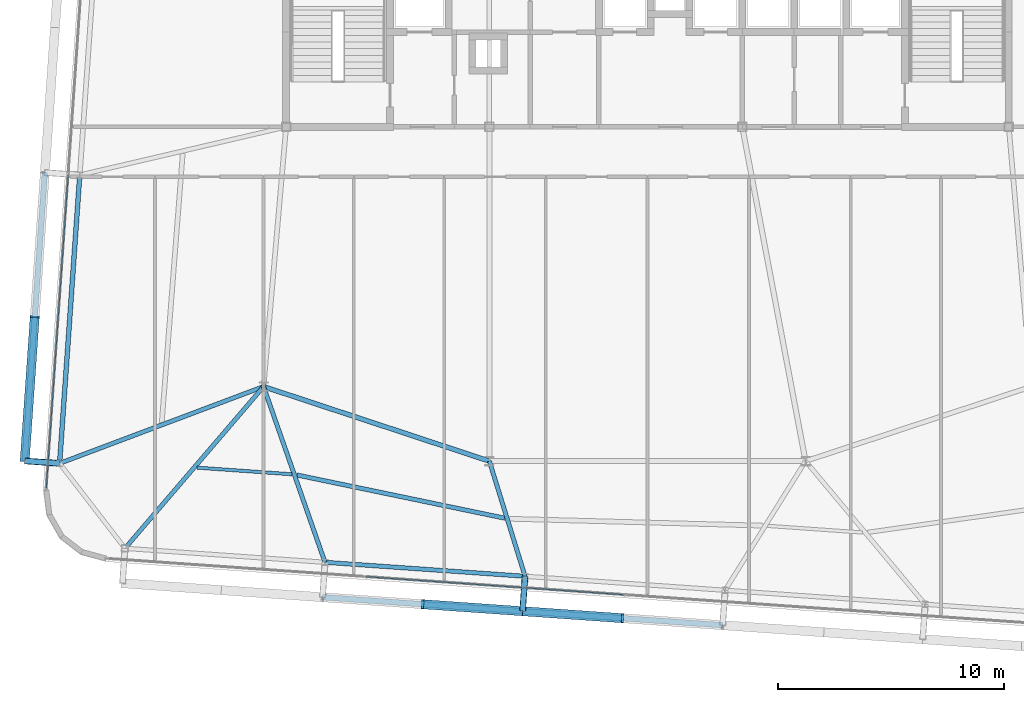
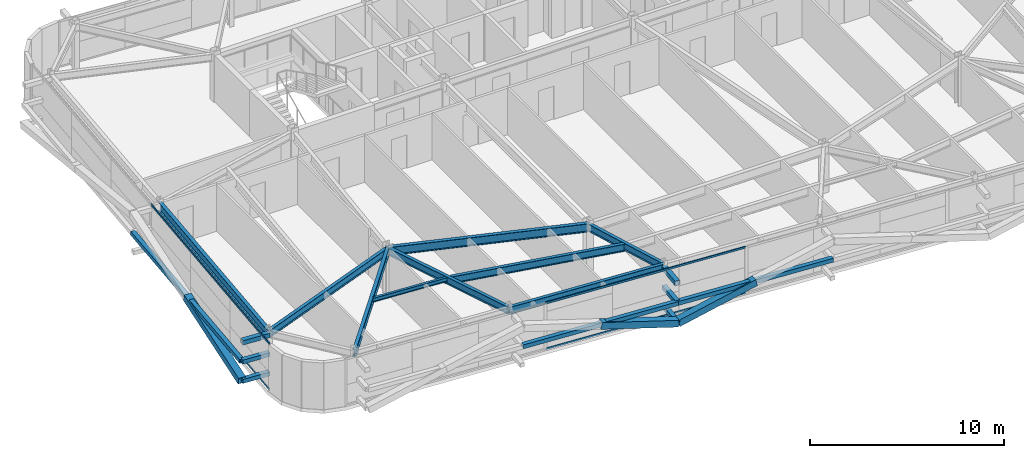
# One storey, part 8 of 39: 16 members, 9 beams, 2 elements without a shape of their own.
"""IFC4 building model written with IfcOpenShell, lengths in metres."""

from ifc_helpers import new_model, si_unit, direction, frame, origin, origin_2d, place, context, subcontext, project, spatial, hollow_rectangle, i_section, extrude, source, transform, mapped, material, layer, layer_set, material_profile, profile_set, type_object, element, aggregate, save


model = new_model("IFC4")

# Units and contexts
model_context = context("Model", 3, precision=1e-05, world=origin(), true_north=direction((0.0, 1.0)))
body_context = subcontext(model_context, "Body", "Model", "MODEL_VIEW")
ifc_project = project(units=[si_unit("LENGTHUNIT", "METRE"), si_unit("AREAUNIT", "SQUARE_METRE"), si_unit("VOLUMEUNIT", "CUBIC_METRE"), si_unit("PLANEANGLEUNIT", "RADIAN"), si_unit("MASSUNIT", "GRAM", prefix="KILO")], contexts=[model_context])

# Site, building, storey
site_placement = place(None, origin())
site = spatial("IfcSite", under=ifc_project, at=site_placement, CompositionType="ELEMENT")
building_placement = place(site_placement, origin())
building = spatial("IfcBuilding", under=site, at=building_placement, Name="Taldren Reach Tower", CompositionType="ELEMENT")
storey_placement = place(building_placement, frame((0.0, 0.0, 158.199951171875)))
storey = spatial("IfcBuildingStorey", under=building, at=storey_placement, Name="L48", CompositionType="ELEMENT", Elevation=158.199951171875)

# Beam
ifc_material_1 = material(Name="Steel Gr 350 (350PLUS)", Category="steel")
ifc_material_profile_1 = material_profile(ifc_material_1, i_section(OverallWidth=0.208984375, OverallDepth=0.532958984375, WebThickness=0.01025390625, FlangeThickness=0.015625, at=origin_2d()), Name="530UB92.4")
ifc_profile_set_1 = profile_set([ifc_material_profile_1], Name="Steel Gr 350 (350PLUS)")
beam_type_1 = type_object("IfcBeamType", Name="BM-UB530A", PredefinedType="BEAM", material=ifc_profile_set_1)
shared_shape_1 = source(origin(), body_context, "Body", "SweptSolid", [
    extrude(i_section(OverallWidth=0.208984375, OverallDepth=0.532958984375, WebThickness=0.01025390625, FlangeThickness=0.015625, at=origin_2d()), origin(), (0.0, 0.0, 1.0), 10.530517578125),
])
beam_1_placement = place(storey_placement, frame((18.0, 12.5, 2.66357421875), z_axis=(0.949627269203, -0.313381635689, 0.0), x_axis=(0.313381635689, 0.949627269203, 0.0)))
element("IfcBeam", 1, at=beam_1_placement, inside=storey, type_object=beam_type_1, Name="Core-spine girder L48-SP10", PredefinedType="BEAM", context=body_context, shape_type="MappedRepresentation", body=[
    mapped(shared_shape_1, transform((0.0, 0.0, 0.0), scale=1.0)),
])

# Members
ifc_material_2 = material(Name="Steel Gr 450 (C450L0)", Category="steel")
ifc_material_profile_2 = material_profile(ifc_material_2, hollow_rectangle(XDim=0.27490234375, YDim=0.27490234375, WallThickness=0.00927734375, at=origin_2d()), Name="275x275x9.3SHS")
ifc_profile_set_2 = profile_set([ifc_material_profile_2], Name="Steel Gr 450 (C450L0)")
member_type_1 = type_object("IfcMemberType", Name="MB-TIE273", PredefinedType="STRUT", material=ifc_profile_set_2)
shared_shape_2 = source(origin(), body_context, "Body", "SweptSolid", [
    extrude(hollow_rectangle(XDim=0.27490234375, YDim=0.27490234375, WallThickness=0.00927734375, at=origin_2d()), origin(), (0.0, 0.0, 1.0), 1.5498046875),
])
member_1_placement = place(storey_placement, frame((8.96875, 9.099609375, 2.650146484375), z_axis=(-0.997573320145, 0.069623781384, 0.0), x_axis=(-0.069623781384, -0.997573320145, 0.0)))
element("IfcMember", 2, at=member_1_placement, inside=storey, type_object=member_type_1, Name="Exoskeleton diaphragm tie strut B3-W1 L48", PredefinedType="STRUT", context=body_context, shape_type="MappedRepresentation", body=[
    mapped(shared_shape_2, transform((0.0, 0.0, 0.0), scale=1.0)),
])
ifc_material_3 = material(Name="Steel Gr 350 (C350L0)", Category="steel")
ifc_material_profile_3 = material_profile(ifc_material_3, hollow_rectangle(XDim=0.25, YDim=0.25, WallThickness=0.010009765625, at=origin_2d()), Name="250x250x10.0SHS")
ifc_profile_set_3 = profile_set([ifc_material_profile_3], Name="Steel Gr 350 (C350L0)")
member_type_2 = type_object("IfcMemberType", Name="MB-POST250", PredefinedType="POST", material=ifc_profile_set_3)
shared_shape_3 = source(origin(), body_context, "Body", "SweptSolid", [
    extrude(hollow_rectangle(XDim=0.25, YDim=0.25, WallThickness=0.010009765625, at=origin_2d()), origin(), (0.0, 0.0, 1.0), 1.5498046875),
])
for number, where, z_axis, x_axis, name in (
    (3, (8.96875, 9.099609375, 0.219970703125), (-0.997573320145, 0.069623781384, 0.0), (-0.069623781384, -0.997573320145, 0.0), "Exoskeleton base diaphragm tie strut B3-W1 L48"),
    (4, (8.96875, 9.099609375, 1.43505859375), (-0.997573320145, 0.069623781384, 0.0), (-0.069623781384, -0.997573320145, 0.0), "Exoskeleton mid-tier diaphragm tie B3-W1 L48"),
):
    element("IfcMember", number, at=place(storey_placement, frame(where, z_axis=z_axis, x_axis=x_axis)), inside=storey, type_object=member_type_2, Name=name, PredefinedType="POST", context=body_context, shape_type="MappedRepresentation", body=[
        mapped(shared_shape_3, transform((0.0, 0.0, 0.0), scale=1.0)),
    ])
shared_shape_4 = source(origin(), body_context, "Body", "SweptSolid", [
    extrude(hollow_rectangle(XDim=0.27490234375, YDim=0.27490234375, WallThickness=0.00927734375, at=origin_2d()), origin(), (0.0, 0.0, 1.0), 1.550048828125),
])
member_2_placement = place(storey_placement, frame((29.580322265625, 4.099609375, 2.650146484375), z_axis=(-0.06976957191, -0.99756313426, 0.0), x_axis=(0.99756313426, -0.06976957191, 0.0)))
element("IfcMember", 5, at=member_2_placement, inside=storey, type_object=member_type_1, Name="Exoskeleton diaphragm tie strut B3-S3 L48", PredefinedType="STRUT", context=body_context, shape_type="MappedRepresentation", body=[
    mapped(shared_shape_4, transform((0.0, 0.0, 0.0), scale=1.0)),
])
shared_shape_5 = source(origin(), body_context, "Body", "SweptSolid", [
    extrude(hollow_rectangle(XDim=0.25, YDim=0.25, WallThickness=0.010009765625, at=origin_2d()), origin(), (0.0, 0.0, 1.0), 1.550048828125),
])
for number, where, z_axis, x_axis, name in (
    (6, (29.580322265625, 4.099609375, 0.219970703125), (-0.06976957191, -0.99756313426, 0.0), (0.99756313426, -0.06976957191, 0.0), "Exoskeleton base diaphragm tie strut B3-S3 L48"),
    (7, (29.580322265625, 4.099609375, 1.43505859375), (-0.06976957191, -0.99756313426, 0.0), (0.99756313426, -0.06976957191, 0.0), "Exoskeleton mid-tier diaphragm tie B3-S3 L48"),
):
    element("IfcMember", number, at=place(storey_placement, frame(where, z_axis=z_axis, x_axis=x_axis)), inside=storey, type_object=member_type_2, Name=name, PredefinedType="POST", context=body_context, shape_type="MappedRepresentation", body=[
        mapped(shared_shape_5, transform((0.0, 0.0, 0.0), scale=1.0)),
    ])

# Beams
ifc_material_profile_4 = material_profile(ifc_material_1, i_section(OverallWidth=0.18994140625, OverallDepth=0.4541015625, WebThickness=0.008544921875, FlangeThickness=0.0126953125, at=origin_2d()), Name="460UB67.1")
ifc_profile_set_4 = profile_set([ifc_material_profile_4], Name="Steel Gr 350 (350PLUS)")
beam_type_2 = type_object("IfcBeamType", Name="SP-UB460B", PredefinedType="SPANDREL", material=ifc_profile_set_4)
shared_shape_6 = source(origin(), body_context, "Body", "SweptSolid", [
    extrude(i_section(OverallWidth=0.18994140625, OverallDepth=0.4541015625, WebThickness=0.008544921875, FlangeThickness=0.0126953125, at=origin_2d()), origin(), (0.0, 0.0, 1.0), 8.880126953125),
])
beam_2_placement = place(storey_placement, frame((20.721923828125, 4.718994140625, 2.703125), z_axis=(0.997564479639, -0.069750333063, 0.0), x_axis=(0.069750333063, 0.997564479639, 0.0)))
element("IfcBeam", 8, at=beam_2_placement, inside=storey, type_object=beam_type_2, Name="Perimeter spandrel B3 S2-S3 L48", PredefinedType="SPANDREL", context=body_context, shape_type="MappedRepresentation", body=[
    mapped(shared_shape_6, transform((0.0, 0.0, 0.0), scale=1.0)),
])
ifc_material_profile_5 = material_profile(ifc_material_1, i_section(OverallWidth=0.208984375, OverallDepth=0.528076171875, WebThickness=0.009521484375, FlangeThickness=0.01318359375, at=origin_2d()), Name="530UB82.0")
ifc_profile_set_5 = profile_set([ifc_material_profile_5], Name="Steel Gr 350 (350PLUS)")
beam_type_3 = type_object("IfcBeamType", Name="SP-UB530B", PredefinedType="SPANDREL", material=ifc_profile_set_5)
shared_shape_7 = source(origin(), body_context, "Body", "SweptSolid", [
    extrude(i_section(OverallWidth=0.208984375, OverallDepth=0.528076171875, WebThickness=0.009521484375, FlangeThickness=0.01318359375, at=origin_2d()), origin(), (0.0, 0.0, 1.0), 12.800048828125),
])
beam_3_placement = place(storey_placement, frame((9.86181640625, 21.868408203125, 2.666015625), z_axis=(-0.069770857464, -0.997563044348, 0.0), x_axis=(0.997563044348, -0.069770857464, 0.0)))
element("IfcBeam", 9, at=beam_3_placement, inside=storey, type_object=beam_type_3, Name="Perimeter spandrel B3 W2-W1 L48", PredefinedType="SPANDREL", context=body_context, shape_type="MappedRepresentation", body=[
    mapped(shared_shape_7, transform((0.0, 0.0, 0.0), scale=1.0)),
])
ifc_material_profile_6 = material_profile(ifc_material_1, i_section(OverallWidth=0.19091796875, OverallDepth=0.4599609375, WebThickness=0.010009765625, FlangeThickness=0.01611328125, at=origin_2d()), Name="460UB82.1")
ifc_profile_set_6 = profile_set([ifc_material_profile_6], Name="Steel Gr 350 (350PLUS)")
beam_type_4 = type_object("IfcBeamType", Name="BM-UB460A", PredefinedType="BEAM", material=ifc_profile_set_6)
shared_shape_8 = source(origin(), body_context, "Body", "SweptSolid", [
    extrude(i_section(OverallWidth=0.19091796875, OverallDepth=0.4599609375, WebThickness=0.010009765625, FlangeThickness=0.01611328125, at=origin_2d()), origin(), (0.0, 0.0, 1.0), 9.43115234375),
])
beam_4_placement = place(storey_placement, frame((18.0, 12.5, 2.699951171875), z_axis=(-0.650665584965, -0.759364402999, 0.0), x_axis=(0.759364402999, -0.650665584965, 0.0)))
element("IfcBeam", 10, at=beam_4_placement, inside=storey, type_object=beam_type_4, Name="Primary floor girder B3-S1 L48", PredefinedType="BEAM", context=body_context, shape_type="MappedRepresentation", body=[
    mapped(shared_shape_8, transform((0.0, 0.0, 0.0), scale=1.0)),
])
shared_shape_9 = source(origin(), body_context, "Body", "SweptSolid", [
    extrude(i_section(OverallWidth=0.19091796875, OverallDepth=0.4599609375, WebThickness=0.010009765625, FlangeThickness=0.01611328125, at=origin_2d()), origin(), (0.0, 0.0, 1.0), 8.243408203125),
])
beam_5_placement = place(storey_placement, frame((18.0, 12.5, 2.699951171875), z_axis=(0.330196070713, -0.943912366105, 0.0), x_axis=(0.943912366105, 0.330196070713, 0.0)))
element("IfcBeam", 11, at=beam_5_placement, inside=storey, type_object=beam_type_4, Name="Primary floor girder B3-S2 L48", PredefinedType="BEAM", context=body_context, shape_type="MappedRepresentation", body=[
    mapped(shared_shape_9, transform((0.0, 0.0, 0.0), scale=1.0)),
])
shared_shape_10 = source(origin(), body_context, "Body", "SweptSolid", [
    extrude(i_section(OverallWidth=0.19091796875, OverallDepth=0.4599609375, WebThickness=0.010009765625, FlangeThickness=0.01611328125, at=origin_2d()), origin(), (0.0, 0.0, 1.0), 5.339599609375),
])
beam_6_placement = place(storey_placement, frame((28.0, 9.199951171875, 2.699951171875), z_axis=(0.295964865482, -0.955198826632, 0.0), x_axis=(0.955198826632, 0.295964865482, 0.0)))
element("IfcBeam", 12, at=beam_6_placement, inside=storey, type_object=beam_type_4, Name="Primary floor girder B3-S3 L48", PredefinedType="BEAM", context=body_context, shape_type="MappedRepresentation", body=[
    mapped(shared_shape_10, transform((0.0, 0.0, 0.0), scale=1.0)),
])
shared_shape_11 = source(origin(), body_context, "Body", "SweptSolid", [
    extrude(i_section(OverallWidth=0.19091796875, OverallDepth=0.4599609375, WebThickness=0.010009765625, FlangeThickness=0.01611328125, at=origin_2d()), origin(), (0.0, 0.0, 1.0), 9.650146484375),
])
beam_7_placement = place(storey_placement, frame((18.0, 12.5, 2.699951171875), z_axis=(-0.935862573906, -0.352365212191, 0.0), x_axis=(0.352365212191, -0.935862573906, 0.0)))
element("IfcBeam", 13, at=beam_7_placement, inside=storey, type_object=beam_type_4, Name="Primary floor girder B3-W1 L48", PredefinedType="BEAM", context=body_context, shape_type="MappedRepresentation", body=[
    mapped(shared_shape_11, transform((0.0, 0.0, 0.0), scale=1.0)),
])
ifc_material_4 = material(Name="Steel Gr 300 (300PLUS, 300 MPa)", Category="steel")
ifc_material_profile_7 = material_profile(ifc_material_4, i_section(OverallWidth=0.14599609375, OverallDepth=0.256103515625, WebThickness=0.00634765625, FlangeThickness=0.010986328125, at=origin_2d()), Name="250UB37.3")
ifc_profile_set_7 = profile_set([ifc_material_profile_7], Name="Steel Gr 300 (300PLUS, 300 MPa)")
beam_type_5 = type_object("IfcBeamType", Name="JS-UB250", PredefinedType="JOIST", material=ifc_profile_set_7)
shared_shape_12 = source(origin(), body_context, "Body", "SweptSolid", [
    extrude(i_section(OverallWidth=0.14599609375, OverallDepth=0.256103515625, WebThickness=0.00634765625, FlangeThickness=0.010986328125, at=origin_2d()), origin(), (0.0, 0.0, 1.0), 4.217041015625),
])
beam_8_placement = place(storey_placement, frame((15.050537109375, 8.910888671875, 2.802001953125), z_axis=(0.997563683226, -0.069761722378, 0.0), x_axis=(0.069761722378, 0.997563683226, 0.0)))
element("IfcBeam", 14, at=beam_8_placement, inside=storey, type_object=beam_type_5, Name="Secondary floor joist B3 J1 L48", PredefinedType="JOIST", context=body_context, shape_type="MappedRepresentation", body=[
    mapped(shared_shape_12, transform((0.0, 0.0, 0.0), scale=1.0)),
])
shared_shape_13 = source(origin(), body_context, "Body", "SweptSolid", [
    extrude(i_section(OverallWidth=0.19091796875, OverallDepth=0.4599609375, WebThickness=0.010009765625, FlangeThickness=0.01611328125, at=origin_2d()), origin(), (0.0, 0.0, 1.0), 9.410400390625),
])
beam_9_placement = place(storey_placement, frame((19.469970703125, 8.5869140625, 2.699951171875), z_axis=(0.97907399109, -0.20350459447, 0.0), x_axis=(0.20350459447, 0.97907399109, 0.0)))
element("IfcBeam", 15, at=beam_9_placement, inside=storey, type_object=beam_type_4, Name="Secondary floor beam B3 J2 L48", PredefinedType="BEAM", context=body_context, shape_type="MappedRepresentation", body=[
    mapped(shared_shape_13, transform((0.0, 0.0, 0.0), scale=1.0)),
])

# Members
shared_shape_14 = source(origin(), body_context, "Body", "SweptSolid", [
    extrude(hollow_rectangle(XDim=0.25, YDim=0.25, WallThickness=0.010009765625, at=origin_2d()), origin(), (0.0, 0.0, 1.0), 8.880126953125),
])
for number, where, z_axis, x_axis, name in (
    (16, (20.61376953125, 3.1728515625, 1.43505859375), (0.997562566276, -0.06977769246, 0.0), (0.06977769246, 0.997562566276, 0.0), "Exoskeleton mid-height ring chord B3-S2 L48"),
    (17, (29.47216796875, 2.55322265625, 1.43505859375), (0.997564479639, -0.069750333063, 0.0), (0.069750333063, 0.997564479639, 0.0), "Exoskeleton mid-height ring chord B3-S3 L48"),
):
    element("IfcMember", number, at=place(storey_placement, frame(where, z_axis=z_axis, x_axis=x_axis)), inside=storey, type_object=member_type_2, Name=name, PredefinedType="POST", context=body_context, shape_type="MappedRepresentation", body=[
        mapped(shared_shape_14, transform((0.0, 0.0, 0.0), scale=1.0)),
    ])
shared_shape_15 = source(origin(), body_context, "Body", "SweptSolid", [
    extrude(hollow_rectangle(XDim=0.25, YDim=0.25, WallThickness=0.010009765625, at=origin_2d()), origin(), (0.0, 0.0, 1.0), 12.80029296875),
])
member_3_placement = place(storey_placement, frame((7.422607421875, 9.20751953125, 1.43505859375), z_axis=(0.069750549628, 0.997564464497, 0.0), x_axis=(-0.997564464497, 0.069750549628, 0.0)))
element("IfcMember", 18, at=member_3_placement, inside=storey, type_object=member_type_2, Name="Exoskeleton mid-height ring chord B3-W1 L48", PredefinedType="POST", context=body_context, shape_type="MappedRepresentation", body=[
    mapped(shared_shape_15, transform((0.0, 0.0, 0.0), scale=1.0)),
])
ifc_material_profile_8 = material_profile(ifc_material_2, hollow_rectangle(XDim=0.409912109375, YDim=0.409912109375, WallThickness=0.01611328125, at=origin_2d()), Name="410x410x16.0SHS")
ifc_profile_set_8 = profile_set([ifc_material_profile_8], Name="Steel Gr 450 (C450L0)")
member_type_3 = type_object("IfcMemberType", Name="MB-EXO406", PredefinedType="BRACE", material=ifc_profile_set_8)
shared_shape_16 = source(origin(), body_context, "Body", "SweptSolid", [
    extrude(hollow_rectangle(XDim=0.409912109375, YDim=0.409912109375, WallThickness=0.01611328125, at=origin_2d()), origin(), (0.0, 0.0, 1.0), 4.603271484375),
])
for number, where, z_axis, x_axis, name in (
    (19, (29.47216796875, 2.55322265625, 0.219970703125), (-0.962182351074, 0.067302910567, 0.263961060594), (-0.06977769246, -0.997562566276, 0.0), "Exoskeleton Diagrid Brace B3-S2 L48"),
    (20, (29.47216796875, 2.55322265625, 0.219970703125), (0.962185784239, -0.067250114343, 0.263962002434), (0.069722973508, 0.997566392259, 0.0), "Exoskeleton Diagrid Brace B3-S3 L48"),
):
    element("IfcMember", number, at=place(storey_placement, frame(where, z_axis=z_axis, x_axis=x_axis)), inside=storey, type_object=member_type_3, Name=name, PredefinedType="BRACE", context=body_context, shape_type="MappedRepresentation", body=[
        mapped(shared_shape_16, transform((0.0, 0.0, 0.0), scale=1.0)),
    ])
shared_shape_17 = source(origin(), body_context, "Body", "SweptSolid", [
    extrude(hollow_rectangle(XDim=0.409912109375, YDim=0.409912109375, WallThickness=0.01611328125, at=origin_2d()), origin(), (0.0, 0.0, 1.0), 6.514404296875),
])
member_4_placement = place(storey_placement, frame((7.422607421875, 9.20751953125, 0.219970703125), z_axis=(0.068545126831, 0.980056649402, 0.186522195865), x_axis=(-0.997563137195, 0.069769529958, 0.0)))
element("IfcMember", 21, at=member_4_placement, inside=storey, type_object=member_type_3, Name="Exoskeleton Diagrid Brace B3-W1 L48", PredefinedType="BRACE", context=body_context, shape_type="MappedRepresentation", body=[
    mapped(shared_shape_17, transform((0.0, 0.0, 0.0), scale=1.0)),
])

# Curtain wall, members
ifc_material_5 = material(Name="Aluminium and Low-E Glass Unitised System", Category="aluminium")
ifc_layer = layer(ifc_material_5, 0.159912109375)
ifc_layer_set = layer_set([ifc_layer], Name="Aluminium and Low-E Glass Unitised System")
curtain_wall_type = type_object("IfcCurtainWallType", Name="CW-SYS-4", PredefinedType="NOTDEFINED", material=ifc_layer_set)
curtain_wall_1_placement = place(storey_placement, origin())
curtain_wall_1 = element("IfcCurtainWall", 22, at=curtain_wall_1_placement, inside=storey, type_object=curtain_wall_type, Name="Unitised curtain wall CW-L48-S", PredefinedType="NOTDEFINED")
ifc_material_6 = material(Name="Anodised Aluminium 6063-T6", Category="aluminium")
ifc_material_profile_9 = material_profile(ifc_material_6, hollow_rectangle(XDim=0.054931640625, YDim=0.1201171875, WallThickness=0.0029296875, at=origin_2d()), Name="ALU-120x55x3RHS")
ifc_profile_set_9 = profile_set([ifc_material_profile_9], Name="Anodised Aluminium 6063-T6")
member_type_4 = type_object("IfcMemberType", Name="CW-TRN-135", PredefinedType="USERDEFINED", material=ifc_profile_set_9)
shared_shape_18 = source(origin(), body_context, "Body", "SweptSolid", [
    extrude(hollow_rectangle(XDim=0.054931640625, YDim=0.1201171875, WallThickness=0.0029296875, at=origin_2d()), origin(), (0.0, 0.0, 1.0), 11.429931640625),
])
member_5_placement = place(storey_placement, frame((22.536865234375, 4.080810546875, 0.027587890625), z_axis=(0.997563740938, -0.069760897114, 0.0), x_axis=(0.069760897114, 0.997563740938, 0.0)))
member_5 = element("IfcMember", 23, at=member_5_placement, type_object=member_type_4, Name="CW-4 transom 2.1", ObjectType="TRANSOM", PredefinedType="USERDEFINED", context=body_context, shape_type="MappedRepresentation", body=[
    mapped(shared_shape_18, transform((0.0, 0.0, 0.0), scale=1.0)),
])
member_6_placement = place(storey_placement, frame((22.536865234375, 4.080810546875, 2.902587890625), z_axis=(0.997563740938, -0.069760897114, 0.0), x_axis=(0.069760897114, 0.997563740938, 0.0)))
member_6 = element("IfcMember", 24, at=member_6_placement, type_object=member_type_4, Name="CW-4 transom 2.2", ObjectType="TRANSOM", PredefinedType="USERDEFINED", context=body_context, shape_type="MappedRepresentation", body=[
    mapped(shared_shape_18, transform((0.0, 0.0, 0.0), scale=1.0)),
])
aggregate(curtain_wall_1, [member_5, member_6])

curtain_wall_2_placement = place(storey_placement, origin())
curtain_wall_2 = element("IfcCurtainWall", 25, at=curtain_wall_2_placement, inside=storey, type_object=curtain_wall_type, Name="Unitised curtain wall CW-L48-W", PredefinedType="NOTDEFINED")
shared_shape_19 = source(origin(), body_context, "Body", "SweptSolid", [
    extrude(hollow_rectangle(XDim=0.054931640625, YDim=0.1201171875, WallThickness=0.0029296875, at=origin_2d()), origin(), (0.0, 0.0, 1.0), 13.89501953125),
])
member_7_placement = place(storey_placement, frame((9.3505859375, 21.868896484375, 0.027587890625), z_axis=(-0.069754817075, -0.997564166104, 0.0), x_axis=(0.997564166104, -0.069754817075, 0.0)))
member_7 = element("IfcMember", 26, at=member_7_placement, type_object=member_type_4, Name="CW-4 transom 2.1", ObjectType="TRANSOM", PredefinedType="USERDEFINED", context=body_context, shape_type="MappedRepresentation", body=[
    mapped(shared_shape_19, transform((0.0, 0.0, 0.0), scale=1.0)),
])
member_8_placement = place(storey_placement, frame((9.3505859375, 21.868896484375, 2.902587890625), z_axis=(-0.069754817075, -0.997564166104, 0.0), x_axis=(0.997564166104, -0.069754817075, 0.0)))
member_8 = element("IfcMember", 27, at=member_8_placement, type_object=member_type_4, Name="CW-4 transom 2.2", ObjectType="TRANSOM", PredefinedType="USERDEFINED", context=body_context, shape_type="MappedRepresentation", body=[
    mapped(shared_shape_19, transform((0.0, 0.0, 0.0), scale=1.0)),
])
aggregate(curtain_wall_2, [member_7, member_8])

save(model, "model.ifc")
